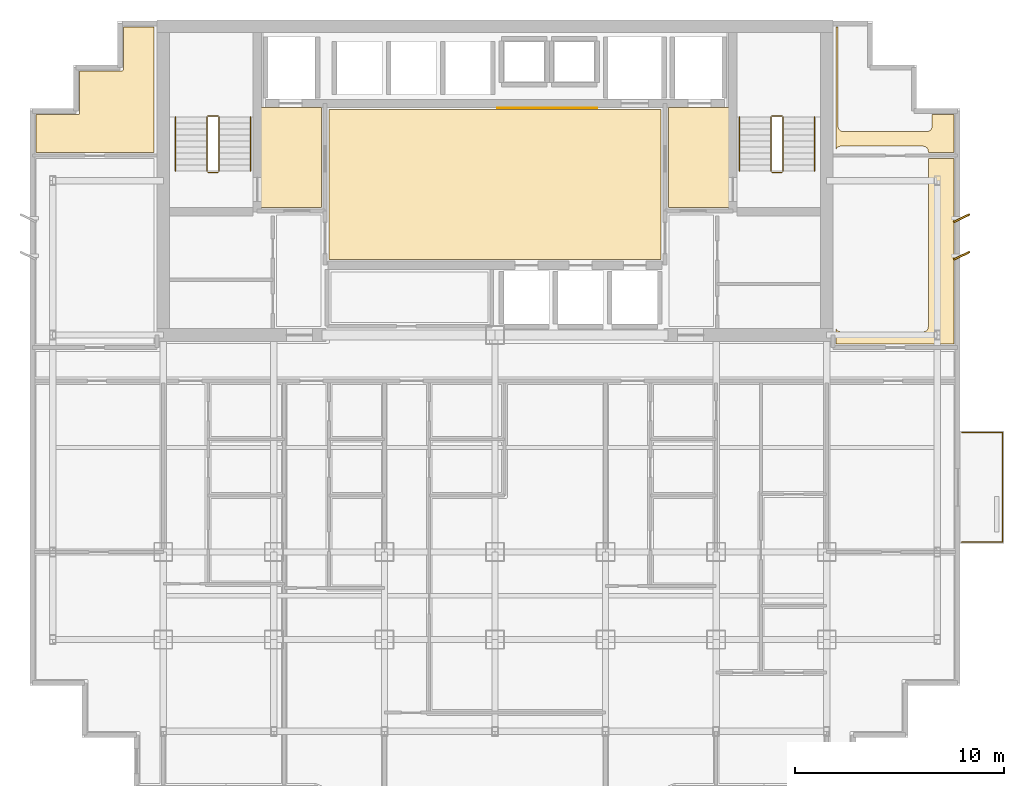
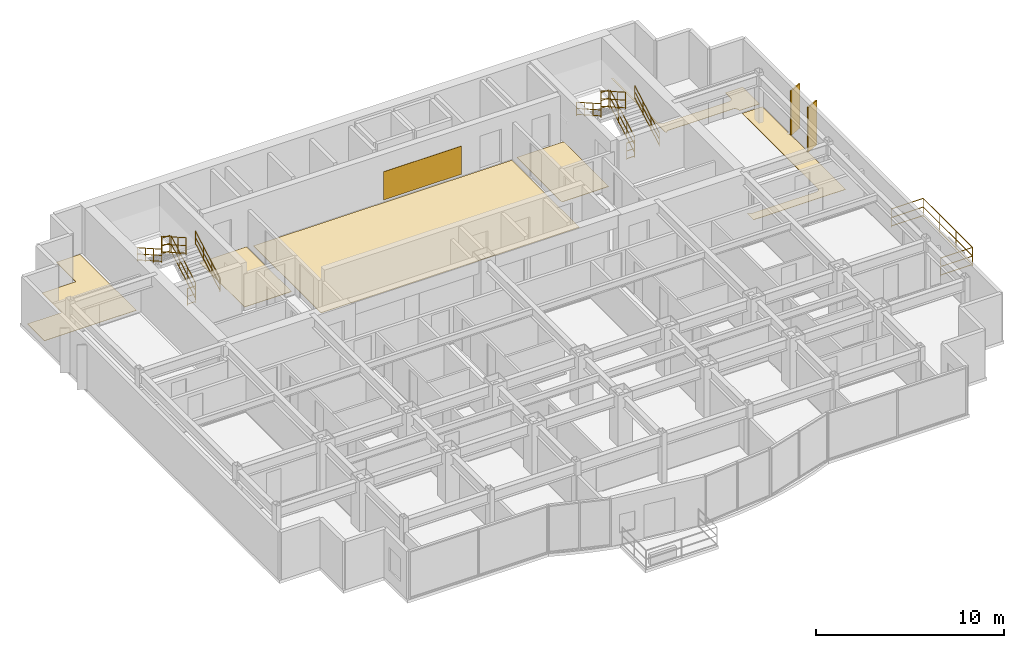
# One storey, part 11 of 11: 13 railings, 7 coverings, 2 shading devices.
"""IFC4 building model written with IfcOpenShell, lengths in metres."""

from ifc_helpers import new_model, si_unit, direction, frame, origin, origin_2d, place, context, subcontext, project, spatial, polyline, rectangle, circle, outline, extrude, source, transform, mapped, material, layer, layer_set, type_object, element, save


model = new_model("IFC4")

# Units and contexts
model_context = context("Model", 3, precision=1e-05, world=origin(), true_north=direction((0.0, 1.0)))
body_context = subcontext(model_context, "Body", "Model", "MODEL_VIEW")
ifc_project = project(units=[si_unit("LENGTHUNIT", "METRE"), si_unit("AREAUNIT", "SQUARE_METRE"), si_unit("VOLUMEUNIT", "CUBIC_METRE"), si_unit("PLANEANGLEUNIT", "RADIAN"), si_unit("MASSUNIT", "GRAM", prefix="KILO")], contexts=[model_context])

# Site, building, storey
site_placement = place(None, origin())
site = spatial("IfcSite", under=ifc_project, at=site_placement, CompositionType="ELEMENT")
building_placement = place(site_placement, origin())
building = spatial("IfcBuilding", under=site, at=building_placement, Name="Qianlan Lanfeng Residences", CompositionType="ELEMENT")
storey_placement = place(building_placement, frame((0.0, 0.0, 145.800048828125)))
storey = spatial("IfcBuildingStorey", under=building, at=storey_placement, Name="L39", CompositionType="ELEMENT", Elevation=145.800048828125)

# Coverings
ifc_material_1 = material(Name="Anodised Bronze Feature Wall Cladding")
ifc_layer_1 = layer(ifc_material_1, 0.02490234375)
ifc_layer_set_1 = layer_set([ifc_layer_1], Name="Anodised Bronze Feature Wall Cladding")
covering_type_1 = type_object("IfcCoveringType", Name="CLD-BRZ-25", PredefinedType="CLADDING", material=ifc_layer_set_1)
covering_1_placement = place(storey_placement, frame((0.0, 0.0, 0.14990234375)))
element("IfcCovering", 1, at=covering_1_placement, inside=storey, type_object=covering_type_1, Name="L39 Lift Lobby Bronze Feature Cladding", PredefinedType="CLADDING", context=body_context, shape_type="SweptSolid", body=[
    extrude(outline(polyline([(26.60009765625, 36.074951171875), (31.39990234375, 36.074951171875), (31.39990234375, 36.10009765625), (26.60009765625, 36.10009765625), (26.60009765625, 36.074951171875)])), origin(), (0.0, 0.0, 1.0), 1.830078125),
])
ifc_material_2 = material(Name="Honed Taitung Granite Stone Flooring", Category="masonry")
ifc_layer_2 = layer(ifc_material_2, 0.030029296875)
ifc_layer_set_2 = layer_set([ifc_layer_2], Name="Honed Taitung Granite Stone Flooring")
covering_type_2 = type_object("IfcCoveringType", Name="FLR-STN-30", PredefinedType="FLOORING", material=ifc_layer_set_2)
covering_2_placement = place(storey_placement, origin())
element("IfcCovering", 2, at=covering_2_placement, inside=storey, type_object=covering_type_2, Name="L39 Firefighting Lift Lobby Floor Finish", PredefinedType="FLOORING", context=body_context, shape_type="SweptSolid", body=[
    extrude(outline(polyline([(15.2900390625, 31.320068359375), (18.179931640625, 31.320068359375), (18.179931640625, 36.110107421875), (15.2900390625, 36.110107421875), (15.2900390625, 31.320068359375)])), origin(), (0.0, 0.0, 1.0), 0.030029296875),
])
covering_3_placement = place(storey_placement, origin())
element("IfcCovering", 3, at=covering_3_placement, inside=storey, type_object=covering_type_2, Name="L39 Firefighting Lift Lobby Floor Finish", PredefinedType="FLOORING", context=body_context, shape_type="SweptSolid", body=[
    extrude(outline(polyline([(34.820068359375, 31.320068359375), (37.7099609375, 31.320068359375), (37.7099609375, 36.110107421875), (34.820068359375, 36.110107421875), (34.820068359375, 31.320068359375)])), origin(), (0.0, 0.0, 1.0), 0.030029296875),
])
covering_4_placement = place(storey_placement, origin())
element("IfcCovering", 4, at=covering_4_placement, inside=storey, type_object=covering_type_2, Name="L39 Lift Lobby Floor Finish", PredefinedType="FLOORING", context=body_context, shape_type="SweptSolid", body=[
    extrude(outline(polyline([(18.550048828125, 28.820068359375), (34.449951171875, 28.820068359375), (34.449951171875, 36.010009765625), (18.550048828125, 36.010009765625), (18.550048828125, 28.820068359375)])), origin(), (0.0, 0.0, 1.0), 0.030029296875),
])
ifc_material_3 = material(Name="Engineered Smoked Oak Timber Flooring", Category="wood")
ifc_layer_3 = layer(ifc_material_3, 0.02197265625)
ifc_layer_set_3 = layer_set([ifc_layer_3], Name="Engineered Smoked Oak Timber Flooring")
covering_type_3 = type_object("IfcCoveringType", Name="FLR-TIM-22", PredefinedType="FLOORING", material=ifc_layer_set_3)
covering_5_placement = place(storey_placement, origin())
element("IfcCovering", 5, at=covering_5_placement, inside=storey, type_object=covering_type_3, Name="L39 Resident Lounge Floor Finish", PredefinedType="FLOORING", context=body_context, shape_type="SweptSolid", body=[
    extrude(outline(polyline([(4.489990234375, 33.949951171875), (10.14990234375, 33.949951171875), (10.14990234375, 39.9599609375), (8.68994140625, 39.9599609375), (8.68994140625, 37.929931640625), (8.68994140625, 37.923095703125), (8.68896484375, 37.916015625), (8.68701171875, 37.909912109375), (8.68505859375, 37.903076171875), (8.681884765625, 37.89697265625), (8.677978515625, 37.89111328125), (8.674072265625, 37.885986328125), (8.6689453125, 37.881103515625), (8.6640625, 37.8759765625), (8.658935546875, 37.8720703125), (8.653076171875, 37.867919921875), (8.64697265625, 37.864990234375), (8.639892578125, 37.863037109375), (8.634033203125, 37.861083984375), (8.626953125, 37.860107421875), (8.6201171875, 37.860107421875), (6.590087890625, 37.860107421875), (6.590087890625, 35.830078125), (6.590087890625, 35.822998046875), (6.589111328125, 35.81591796875), (6.5869140625, 35.81005859375), (6.5849609375, 35.802978515625), (6.58203125, 35.797119140625), (6.577880859375, 35.791015625), (6.573974609375, 35.785888671875), (6.569091796875, 35.781005859375), (6.56396484375, 35.77587890625), (6.55908203125, 35.77197265625), (6.552978515625, 35.76806640625), (6.547119140625, 35.764892578125), (6.5400390625, 35.762939453125), (6.533935546875, 35.760986328125), (6.527099609375, 35.760009765625), (6.52001953125, 35.760009765625), (4.489990234375, 35.760009765625), (4.489990234375, 33.949951171875)])), origin(), (0.0, 0.0, 1.0), 0.02197265625),
])
covering_6_placement = place(storey_placement, origin())
element("IfcCovering", 6, at=covering_6_placement, inside=storey, type_object=covering_type_3, Name="L39 Sky Lounge Floor Finish", PredefinedType="FLOORING", context=body_context, shape_type="SweptSolid", body=[
    extrude(outline(polyline([(48.510009765625, 33.64990234375), (47.27001953125, 33.64990234375), (47.27001953125, 25.60009765625), (47.26904296875, 25.574951171875), (47.264892578125, 25.551025390625), (47.259033203125, 25.527099609375), (47.2509765625, 25.50390625), (47.239990234375, 25.48193359375), (47.22802734375, 25.4609375), (47.212890625, 25.44091796875), (47.197021484375, 25.423095703125), (47.178955078125, 25.406982421875), (47.158935546875, 25.39208984375), (47.137939453125, 25.3798828125), (47.115966796875, 25.368896484375), (47.093017578125, 25.361083984375), (47.069091796875, 25.35498046875), (47.044921875, 25.35107421875), (47.02001953125, 25.35009765625), (43.080078125, 25.35009765625), (43.054931640625, 25.35107421875), (43.031005859375, 25.35498046875), (43.007080078125, 25.361083984375), (42.98388671875, 25.368896484375), (42.9619140625, 25.3798828125), (42.94091796875, 25.39208984375), (42.9208984375, 25.406982421875), (42.903076171875, 25.423095703125), (42.886962890625, 25.44091796875), (42.8720703125, 25.4609375), (42.860107421875, 25.48193359375), (42.85009765625, 25.501953125), (42.85009765625, 24.780029296875), (48.510009765625, 24.780029296875), (48.510009765625, 33.64990234375)])), origin(), (0.0, 0.0, 1.0), 0.02197265625),
])
covering_7_placement = place(storey_placement, origin())
element("IfcCovering", 7, at=covering_7_placement, inside=storey, type_object=covering_type_3, Name="L39 Resident Lounge Floor Finish", PredefinedType="FLOORING", context=body_context, shape_type="SweptSolid", body=[
    extrude(outline(polyline([(42.85009765625, 34.097900390625), (42.860107421875, 34.117919921875), (42.8720703125, 34.138916015625), (42.886962890625, 34.158935546875), (42.903076171875, 34.177001953125), (42.9208984375, 34.193115234375), (42.94091796875, 34.2080078125), (42.9619140625, 34.219970703125), (42.98388671875, 34.23095703125), (43.007080078125, 34.239013671875), (43.031005859375, 34.2451171875), (43.054931640625, 34.2490234375), (43.080078125, 34.25), (47.02001953125, 34.25), (47.044921875, 34.2490234375), (47.069091796875, 34.2451171875), (47.093017578125, 34.239013671875), (47.115966796875, 34.23095703125), (47.137939453125, 34.219970703125), (47.158935546875, 34.2080078125), (47.178955078125, 34.193115234375), (47.197021484375, 34.177001953125), (47.212890625, 34.158935546875), (47.22802734375, 34.138916015625), (47.239990234375, 34.117919921875), (47.2509765625, 34.095947265625), (47.259033203125, 34.072998046875), (47.264892578125, 34.049072265625), (47.26904296875, 34.02490234375), (47.27001953125, 34.0), (47.27001953125, 33.949951171875), (48.510009765625, 33.949951171875), (48.510009765625, 35.760009765625), (47.449951171875, 35.760009765625), (47.449951171875, 35.199951171875), (47.448974609375, 35.175048828125), (47.445068359375, 35.15087890625), (47.43896484375, 35.126953125), (47.430908203125, 35.10400390625), (47.419921875, 35.08203125), (47.407958984375, 35.06103515625), (47.39306640625, 35.041015625), (47.376953125, 35.02294921875), (47.35888671875, 35.007080078125), (47.339111328125, 34.991943359375), (47.318115234375, 34.97998046875), (47.2958984375, 34.968994140625), (47.27294921875, 34.9609375), (47.2490234375, 34.955078125), (47.22509765625, 34.950927734375), (47.199951171875, 34.949951171875), (43.199951171875, 34.949951171875), (43.175048828125, 34.950927734375), (43.15087890625, 34.955078125), (43.126953125, 34.9609375), (43.10400390625, 34.968994140625), (43.08203125, 34.97998046875), (43.06103515625, 34.991943359375), (43.041015625, 35.007080078125), (43.02294921875, 35.02294921875), (43.007080078125, 35.041015625), (42.991943359375, 35.06103515625), (42.97998046875, 35.08203125), (42.968994140625, 35.10400390625), (42.9609375, 35.126953125), (42.955078125, 35.15087890625), (42.950927734375, 35.175048828125), (42.949951171875, 35.199951171875), (42.949951171875, 39.9599609375), (42.85009765625, 39.9599609375), (42.85009765625, 34.097900390625)])), origin(), (0.0, 0.0, 1.0), 0.02197265625),
])

# Railings
ifc_material_4 = material(Name="Anodised Bronze Aluminium and Laminated Glass Guard Balustrade", Category="aluminium")
railing_type_1 = type_object("IfcRailingType", Name="GR-EXT-1220", PredefinedType="BALUSTRADE", material=ifc_material_4)
railing_1_placement = place(storey_placement, frame((48.8701171875, 20.530029296875, 0.0)))
element("IfcRailing", 8, at=railing_1_placement, inside=storey, type_object=railing_type_1, Name="L39 Terrace Safety Guard GR-L39-EB-S", PredefinedType="BALUSTRADE", context=body_context, shape_type="SweptSolid", body=[
    extrude(circle(Radius=0.02490234375, at=origin_2d()), frame((0.0, 0.0, 0.0849609375), z_axis=(1.0, 0.0, 0.0), x_axis=(0.0, 1.0, 0.0)), (0.0, 0.0, 1.0), 1.9599609375),
    extrude(circle(Radius=0.02490234375, at=origin_2d()), frame((0.0, 0.0, 0.63427734375), z_axis=(1.0, 0.0, 0.0), x_axis=(0.0, 1.0, 0.0)), (0.0, 0.0, 1.0), 1.9599609375),
    extrude(circle(Radius=0.02490234375, at=origin_2d()), frame((0.0, 0.0, 1.19482421875), z_axis=(1.0, 0.0, 0.0), x_axis=(0.0, 1.0, 0.0)), (0.0, 0.0, 1.0), 1.9599609375),
    extrude(circle(Radius=0.02490234375, at=origin_2d()), frame((1.9599609375, 0.0, 0.0849609375), z_axis=(0.0, -1.0, 0.0), x_axis=(1.0, 0.0, 0.0)), (0.0, 0.0, 1.0), 5.260009765625),
    extrude(circle(Radius=0.02490234375, at=origin_2d()), frame((1.9599609375, 0.0, 0.63427734375), z_axis=(0.0, -1.0, 0.0), x_axis=(1.0, 0.0, 0.0)), (0.0, 0.0, 1.0), 5.260009765625),
    extrude(circle(Radius=0.02490234375, at=origin_2d()), frame((1.9599609375, 0.0, 1.19482421875), z_axis=(0.0, -1.0, 0.0), x_axis=(1.0, 0.0, 0.0)), (0.0, 0.0, 1.0), 5.260009765625),
    extrude(circle(Radius=0.02490234375, at=origin_2d()), frame((1.9599609375, -5.260009765625, 0.0849609375), z_axis=(-1.0, 0.0, 0.0), x_axis=(0.0, -1.0, 0.0)), (0.0, 0.0, 1.0), 1.9599609375),
    extrude(circle(Radius=0.02490234375, at=origin_2d()), frame((1.9599609375, -5.260009765625, 0.63427734375), z_axis=(-1.0, 0.0, 0.0), x_axis=(0.0, -1.0, 0.0)), (0.0, 0.0, 1.0), 1.9599609375),
    extrude(circle(Radius=0.02490234375, at=origin_2d()), frame((1.9599609375, -5.260009765625, 1.19482421875), z_axis=(-1.0, 0.0, 0.0), x_axis=(0.0, -1.0, 0.0)), (0.0, 0.0, 1.0), 1.9599609375),
    extrude(circle(Radius=0.02099609375, at=origin_2d()), origin(), (0.0, 0.0, 1.0), 1.169921875),
    extrude(circle(Radius=0.02099609375, at=origin_2d()), frame((1.9599609375, 0.0, 0.0)), (0.0, 0.0, 1.0), 1.169921875),
    extrude(circle(Radius=0.02099609375, at=origin_2d()), frame((1.9599609375, -1.75341796875, 0.0)), (0.0, 0.0, 1.0), 1.169921875),
    extrude(circle(Radius=0.02099609375, at=origin_2d()), frame((1.9599609375, -3.506591796875, 0.0)), (0.0, 0.0, 1.0), 1.169921875),
    extrude(circle(Radius=0.02099609375, at=origin_2d()), frame((1.9599609375, -5.260009765625, 0.0)), (0.0, 0.0, 1.0), 1.169921875),
    extrude(circle(Radius=0.02099609375, at=origin_2d()), frame((0.0, -5.260009765625, 0.0)), (0.0, 0.0, 1.0), 1.169921875),
])
ifc_material_5 = material(Name="Painted Galvanised Steel Guardrail", Category="steel")
railing_type_2 = type_object("IfcRailingType", Name="GR-ST-1120", PredefinedType="GUARDRAIL", material=ifc_material_5)
railing_2_placement = place(storey_placement, frame((13.27001953125, 33.050048828125, 0.1650390625)))
element("IfcRailing", 9, at=railing_2_placement, inside=storey, type_object=railing_type_2, Name="L39 ST-1 stair guard 1", PredefinedType="GUARDRAIL", context=body_context, shape_type="SweptSolid", body=[
    extrude(circle(Radius=0.02392578125, at=origin_2d()), frame((0.0, 0.0, 0.083984375), z_axis=(0.0, 0.869172267526, 0.494509422927), x_axis=(-1.0, 0.0, 0.0)), (0.0, 0.0, 1.0), 3.002685546875),
    extrude(circle(Radius=0.02392578125, at=origin_2d()), frame((0.0, 0.0, 0.58251953125), z_axis=(0.0, 0.869172267526, 0.494509422927), x_axis=(-1.0, 0.0, 0.0)), (0.0, 0.0, 1.0), 3.002685546875),
    extrude(circle(Radius=0.02392578125, at=origin_2d()), frame((0.0, 0.0, 1.09619140625), z_axis=(0.0, 0.869172267526, 0.494509422927), x_axis=(-1.0, 0.0, 0.0)), (0.0, 0.0, 1.0), 3.002685546875),
    extrude(circle(Radius=0.02099609375, at=origin_2d()), origin(), (0.0, 0.0, 1.0), 1.072021484375),
    extrude(circle(Radius=0.02099609375, at=origin_2d()), frame((0.0, 0.869873046875, 0.494873046875)), (0.0, 0.0, 1.0), 1.072021484375),
    extrude(circle(Radius=0.02099609375, at=origin_2d()), frame((0.0, 1.739990234375, 0.989990234375)), (0.0, 0.0, 1.0), 1.072021484375),
    extrude(circle(Radius=0.02099609375, at=origin_2d()), frame((0.0, 2.60986328125, 1.48486328125)), (0.0, 0.0, 1.0), 1.072021484375),
])
railing_3_placement = place(storey_placement, frame((13.219970703125, 35.7099609375, 1.64990234375)))
element("IfcRailing", 10, at=railing_3_placement, inside=storey, type_object=railing_type_2, Name="L39 ST-1 stair guard 2", PredefinedType="GUARDRAIL", context=body_context, shape_type="SweptSolid", body=[
    extrude(circle(Radius=0.02392578125, at=origin_2d()), frame((0.0, 0.0, 0.083984375), z_axis=(-1.0, 0.0, 0.0), x_axis=(0.0, -1.0, 0.0)), (0.0, 0.0, 1.0), 0.47998046875),
    extrude(circle(Radius=0.02392578125, at=origin_2d()), frame((0.0, 0.0, 0.58251953125), z_axis=(-1.0, 0.0, 0.0), x_axis=(0.0, -1.0, 0.0)), (0.0, 0.0, 1.0), 0.47998046875),
    extrude(circle(Radius=0.02392578125, at=origin_2d()), frame((0.0, 0.0, 1.09619140625), z_axis=(-1.0, 0.0, 0.0), x_axis=(0.0, -1.0, 0.0)), (0.0, 0.0, 1.0), 0.47998046875),
    extrude(circle(Radius=0.02099609375, at=origin_2d()), origin(), (0.0, 0.0, 1.0), 1.072021484375),
    extrude(circle(Radius=0.02099609375, at=origin_2d()), frame((-0.47998046875, 0.0, 0.0)), (0.0, 0.0, 1.0), 1.072021484375),
])
railing_4_placement = place(storey_placement, frame((12.68994140625, 35.659912109375, 1.81494140625)))
element("IfcRailing", 11, at=railing_4_placement, inside=storey, type_object=railing_type_2, Name="L39 ST-1 stair guard 3", PredefinedType="GUARDRAIL", context=body_context, shape_type="SweptSolid", body=[
    extrude(circle(Radius=0.02392578125, at=origin_2d()), frame((0.0, 0.0, 0.083984375), z_axis=(0.0, -0.869137319866, 0.494570843475), x_axis=(1.0, 0.0, 0.0)), (0.0, 0.0, 1.0), 3.0029296875),
    extrude(circle(Radius=0.02392578125, at=origin_2d()), frame((0.0, 0.0, 0.58251953125), z_axis=(0.0, -0.869137319866, 0.494570843475), x_axis=(1.0, 0.0, 0.0)), (0.0, 0.0, 1.0), 3.0029296875),
    extrude(circle(Radius=0.02392578125, at=origin_2d()), frame((0.0, 0.0, 1.09619140625), z_axis=(0.0, -0.869137319866, 0.494570843475), x_axis=(1.0, 0.0, 0.0)), (0.0, 0.0, 1.0), 3.0029296875),
    extrude(circle(Radius=0.02099609375, at=origin_2d()), origin(), (0.0, 0.0, 1.0), 1.072021484375),
    extrude(circle(Radius=0.02099609375, at=origin_2d()), frame((0.0, -0.869873046875, 0.4951171875)), (0.0, 0.0, 1.0), 1.072021484375),
    extrude(circle(Radius=0.02099609375, at=origin_2d()), frame((0.0, -1.739990234375, 0.989990234375)), (0.0, 0.0, 1.0), 1.072021484375),
    extrude(circle(Radius=0.02099609375, at=origin_2d()), frame((0.0, -2.60986328125, 1.485107421875)), (0.0, 0.0, 1.0), 1.072021484375),
])
railing_5_placement = place(storey_placement, frame((13.219970703125, 33.0, 0.0)))
element("IfcRailing", 12, at=railing_5_placement, inside=storey, type_object=railing_type_2, Name="L39 ST-1 stair guard 4", PredefinedType="GUARDRAIL", context=body_context, shape_type="SweptSolid", body=[
    extrude(circle(Radius=0.02392578125, at=origin_2d()), frame((0.0, 0.0, 0.083984375), z_axis=(-1.0, 0.0, 0.0), x_axis=(0.0, -1.0, 0.0)), (0.0, 0.0, 1.0), 0.47998046875),
    extrude(circle(Radius=0.02392578125, at=origin_2d()), frame((0.0, 0.0, 0.58251953125), z_axis=(-1.0, 0.0, 0.0), x_axis=(0.0, -1.0, 0.0)), (0.0, 0.0, 1.0), 0.47998046875),
    extrude(circle(Radius=0.02392578125, at=origin_2d()), frame((0.0, 0.0, 1.09619140625), z_axis=(-1.0, 0.0, 0.0), x_axis=(0.0, -1.0, 0.0)), (0.0, 0.0, 1.0), 0.47998046875),
    extrude(circle(Radius=0.02099609375, at=origin_2d()), origin(), (0.0, 0.0, 1.0), 1.072021484375),
    extrude(circle(Radius=0.02099609375, at=origin_2d()), frame((-0.47998046875, 0.0, 0.0)), (0.0, 0.0, 1.0), 1.072021484375),
])
railing_6_placement = place(storey_placement, frame((40.31005859375, 33.050048828125, 0.1650390625)))
element("IfcRailing", 13, at=railing_6_placement, inside=storey, type_object=railing_type_2, Name="L39 ST-2 stair guard 1", PredefinedType="GUARDRAIL", context=body_context, shape_type="SweptSolid", body=[
    extrude(circle(Radius=0.02392578125, at=origin_2d()), frame((0.0, 0.0, 0.083984375), z_axis=(0.0, 0.869172267526, 0.494509422927), x_axis=(-1.0, 0.0, 0.0)), (0.0, 0.0, 1.0), 3.002685546875),
    extrude(circle(Radius=0.02392578125, at=origin_2d()), frame((0.0, 0.0, 0.58251953125), z_axis=(0.0, 0.869172267526, 0.494509422927), x_axis=(-1.0, 0.0, 0.0)), (0.0, 0.0, 1.0), 3.002685546875),
    extrude(circle(Radius=0.02392578125, at=origin_2d()), frame((0.0, 0.0, 1.09619140625), z_axis=(0.0, 0.869172267526, 0.494509422927), x_axis=(-1.0, 0.0, 0.0)), (0.0, 0.0, 1.0), 3.002685546875),
    extrude(circle(Radius=0.02099609375, at=origin_2d()), origin(), (0.0, 0.0, 1.0), 1.072021484375),
    extrude(circle(Radius=0.02099609375, at=origin_2d()), frame((0.0, 0.869873046875, 0.494873046875)), (0.0, 0.0, 1.0), 1.072021484375),
    extrude(circle(Radius=0.02099609375, at=origin_2d()), frame((0.0, 1.739990234375, 0.989990234375)), (0.0, 0.0, 1.0), 1.072021484375),
    extrude(circle(Radius=0.02099609375, at=origin_2d()), frame((0.0, 2.60986328125, 1.48486328125)), (0.0, 0.0, 1.0), 1.072021484375),
])
railing_7_placement = place(storey_placement, frame((40.260009765625, 35.7099609375, 1.64990234375)))
element("IfcRailing", 14, at=railing_7_placement, inside=storey, type_object=railing_type_2, Name="L39 ST-2 stair guard 2", PredefinedType="GUARDRAIL", context=body_context, shape_type="SweptSolid", body=[
    extrude(circle(Radius=0.02392578125, at=origin_2d()), frame((0.0, 0.0, 0.083984375), z_axis=(-1.0, 0.0, 0.0), x_axis=(0.0, -1.0, 0.0)), (0.0, 0.0, 1.0), 0.47998046875),
    extrude(circle(Radius=0.02392578125, at=origin_2d()), frame((0.0, 0.0, 0.58251953125), z_axis=(-1.0, 0.0, 0.0), x_axis=(0.0, -1.0, 0.0)), (0.0, 0.0, 1.0), 0.47998046875),
    extrude(circle(Radius=0.02392578125, at=origin_2d()), frame((0.0, 0.0, 1.09619140625), z_axis=(-1.0, 0.0, 0.0), x_axis=(0.0, -1.0, 0.0)), (0.0, 0.0, 1.0), 0.47998046875),
    extrude(circle(Radius=0.02099609375, at=origin_2d()), origin(), (0.0, 0.0, 1.0), 1.072021484375),
    extrude(circle(Radius=0.02099609375, at=origin_2d()), frame((-0.47998046875, 0.0, 0.0)), (0.0, 0.0, 1.0), 1.072021484375),
])
railing_8_placement = place(storey_placement, frame((39.72998046875, 35.659912109375, 1.81494140625)))
element("IfcRailing", 15, at=railing_8_placement, inside=storey, type_object=railing_type_2, Name="L39 ST-2 stair guard 3", PredefinedType="GUARDRAIL", context=body_context, shape_type="SweptSolid", body=[
    extrude(circle(Radius=0.02392578125, at=origin_2d()), frame((0.0, 0.0, 0.083984375), z_axis=(0.0, -0.869137319866, 0.494570843475), x_axis=(1.0, 0.0, 0.0)), (0.0, 0.0, 1.0), 3.0029296875),
    extrude(circle(Radius=0.02392578125, at=origin_2d()), frame((0.0, 0.0, 0.58251953125), z_axis=(0.0, -0.869137319866, 0.494570843475), x_axis=(1.0, 0.0, 0.0)), (0.0, 0.0, 1.0), 3.0029296875),
    extrude(circle(Radius=0.02392578125, at=origin_2d()), frame((0.0, 0.0, 1.09619140625), z_axis=(0.0, -0.869137319866, 0.494570843475), x_axis=(1.0, 0.0, 0.0)), (0.0, 0.0, 1.0), 3.0029296875),
    extrude(circle(Radius=0.02099609375, at=origin_2d()), origin(), (0.0, 0.0, 1.0), 1.072021484375),
    extrude(circle(Radius=0.02099609375, at=origin_2d()), frame((0.0, -0.869873046875, 0.4951171875)), (0.0, 0.0, 1.0), 1.072021484375),
    extrude(circle(Radius=0.02099609375, at=origin_2d()), frame((0.0, -1.739990234375, 0.989990234375)), (0.0, 0.0, 1.0), 1.072021484375),
    extrude(circle(Radius=0.02099609375, at=origin_2d()), frame((0.0, -2.60986328125, 1.485107421875)), (0.0, 0.0, 1.0), 1.072021484375),
])
railing_9_placement = place(storey_placement, frame((40.260009765625, 33.0, 0.0)))
element("IfcRailing", 16, at=railing_9_placement, inside=storey, type_object=railing_type_2, Name="L39 ST-2 stair guard 4", PredefinedType="GUARDRAIL", context=body_context, shape_type="SweptSolid", body=[
    extrude(circle(Radius=0.02392578125, at=origin_2d()), frame((0.0, 0.0, 0.083984375), z_axis=(-1.0, 0.0, 0.0), x_axis=(0.0, -1.0, 0.0)), (0.0, 0.0, 1.0), 0.47998046875),
    extrude(circle(Radius=0.02392578125, at=origin_2d()), frame((0.0, 0.0, 0.58251953125), z_axis=(-1.0, 0.0, 0.0), x_axis=(0.0, -1.0, 0.0)), (0.0, 0.0, 1.0), 0.47998046875),
    extrude(circle(Radius=0.02392578125, at=origin_2d()), frame((0.0, 0.0, 1.09619140625), z_axis=(-1.0, 0.0, 0.0), x_axis=(0.0, -1.0, 0.0)), (0.0, 0.0, 1.0), 0.47998046875),
    extrude(circle(Radius=0.02099609375, at=origin_2d()), origin(), (0.0, 0.0, 1.0), 1.072021484375),
    extrude(circle(Radius=0.02099609375, at=origin_2d()), frame((-0.47998046875, 0.0, 0.0)), (0.0, 0.0, 1.0), 1.072021484375),
])
ifc_material_6 = material(Name="Brushed Stainless Steel Handrail", Category="steel")
railing_type_3 = type_object("IfcRailingType", Name="HR-ST-920", PredefinedType="HANDRAIL", material=ifc_material_6)
railing_10_placement = place(storey_placement, frame((14.77001953125, 33.050048828125, 0.1650390625)))
element("IfcRailing", 17, at=railing_10_placement, inside=storey, type_object=railing_type_3, Name="L39 ST-1 stair handrail 1", PredefinedType="HANDRAIL", context=body_context, shape_type="SweptSolid", body=[
    extrude(circle(Radius=0.02392578125, at=origin_2d()), frame((0.0, 0.0, 0.083984375), z_axis=(0.0, 0.869172267526, 0.494509422927), x_axis=(-1.0, 0.0, 0.0)), (0.0, 0.0, 1.0), 3.002685546875),
    extrude(circle(Radius=0.02392578125, at=origin_2d()), frame((0.0, 0.0, 0.468017578125), z_axis=(0.0, 0.869172267526, 0.494509422927), x_axis=(-1.0, 0.0, 0.0)), (0.0, 0.0, 1.0), 3.002685546875),
    extrude(circle(Radius=0.02392578125, at=origin_2d()), frame((0.0, 0.0, 0.8759765625), z_axis=(0.0, 0.869172267526, 0.494509422927), x_axis=(-1.0, 0.0, 0.0)), (0.0, 0.0, 1.0), 3.002685546875),
    extrude(circle(Radius=0.02099609375, at=origin_2d()), origin(), (0.0, 0.0, 1.0), 0.851806640625),
    extrude(circle(Radius=0.02099609375, at=origin_2d()), frame((0.0, 0.869873046875, 0.494873046875)), (0.0, 0.0, 1.0), 0.851806640625),
    extrude(circle(Radius=0.02099609375, at=origin_2d()), frame((0.0, 1.739990234375, 0.989990234375)), (0.0, 0.0, 1.0), 0.851806640625),
    extrude(circle(Radius=0.02099609375, at=origin_2d()), frame((0.0, 2.60986328125, 1.48486328125)), (0.0, 0.0, 1.0), 0.851806640625),
])
railing_11_placement = place(storey_placement, frame((11.18994140625, 35.659912109375, 1.81494140625)))
element("IfcRailing", 18, at=railing_11_placement, inside=storey, type_object=railing_type_3, Name="L39 ST-1 stair handrail 2", PredefinedType="HANDRAIL", context=body_context, shape_type="SweptSolid", body=[
    extrude(circle(Radius=0.02392578125, at=origin_2d()), frame((0.0, 0.0, 0.083984375), z_axis=(0.0, -0.869137319866, 0.494570843475), x_axis=(1.0, 0.0, 0.0)), (0.0, 0.0, 1.0), 3.0029296875),
    extrude(circle(Radius=0.02392578125, at=origin_2d()), frame((0.0, 0.0, 0.468017578125), z_axis=(0.0, -0.869137319866, 0.494570843475), x_axis=(1.0, 0.0, 0.0)), (0.0, 0.0, 1.0), 3.0029296875),
    extrude(circle(Radius=0.02392578125, at=origin_2d()), frame((0.0, 0.0, 0.8759765625), z_axis=(0.0, -0.869137319866, 0.494570843475), x_axis=(1.0, 0.0, 0.0)), (0.0, 0.0, 1.0), 3.0029296875),
    extrude(circle(Radius=0.02099609375, at=origin_2d()), origin(), (0.0, 0.0, 1.0), 0.851806640625),
    extrude(circle(Radius=0.02099609375, at=origin_2d()), frame((0.0, -0.869873046875, 0.4951171875)), (0.0, 0.0, 1.0), 0.851806640625),
    extrude(circle(Radius=0.02099609375, at=origin_2d()), frame((0.0, -1.739990234375, 0.989990234375)), (0.0, 0.0, 1.0), 0.851806640625),
    extrude(circle(Radius=0.02099609375, at=origin_2d()), frame((0.0, -2.60986328125, 1.485107421875)), (0.0, 0.0, 1.0), 0.851806640625),
])
railing_12_placement = place(storey_placement, frame((41.81005859375, 33.050048828125, 0.1650390625)))
element("IfcRailing", 19, at=railing_12_placement, inside=storey, type_object=railing_type_3, Name="L39 ST-2 stair handrail 1", PredefinedType="HANDRAIL", context=body_context, shape_type="SweptSolid", body=[
    extrude(circle(Radius=0.02392578125, at=origin_2d()), frame((0.0, 0.0, 0.083984375), z_axis=(0.0, 0.869172267526, 0.494509422927), x_axis=(-1.0, 0.0, 0.0)), (0.0, 0.0, 1.0), 3.002685546875),
    extrude(circle(Radius=0.02392578125, at=origin_2d()), frame((0.0, 0.0, 0.468017578125), z_axis=(0.0, 0.869172267526, 0.494509422927), x_axis=(-1.0, 0.0, 0.0)), (0.0, 0.0, 1.0), 3.002685546875),
    extrude(circle(Radius=0.02392578125, at=origin_2d()), frame((0.0, 0.0, 0.8759765625), z_axis=(0.0, 0.869172267526, 0.494509422927), x_axis=(-1.0, 0.0, 0.0)), (0.0, 0.0, 1.0), 3.002685546875),
    extrude(circle(Radius=0.02099609375, at=origin_2d()), origin(), (0.0, 0.0, 1.0), 0.851806640625),
    extrude(circle(Radius=0.02099609375, at=origin_2d()), frame((0.0, 0.869873046875, 0.494873046875)), (0.0, 0.0, 1.0), 0.851806640625),
    extrude(circle(Radius=0.02099609375, at=origin_2d()), frame((0.0, 1.739990234375, 0.989990234375)), (0.0, 0.0, 1.0), 0.851806640625),
    extrude(circle(Radius=0.02099609375, at=origin_2d()), frame((0.0, 2.60986328125, 1.48486328125)), (0.0, 0.0, 1.0), 0.851806640625),
])
railing_13_placement = place(storey_placement, frame((38.22998046875, 35.659912109375, 1.81494140625)))
element("IfcRailing", 20, at=railing_13_placement, inside=storey, type_object=railing_type_3, Name="L39 ST-2 stair handrail 2", PredefinedType="HANDRAIL", context=body_context, shape_type="SweptSolid", body=[
    extrude(circle(Radius=0.02392578125, at=origin_2d()), frame((0.0, 0.0, 0.083984375), z_axis=(0.0, -0.869137319866, 0.494570843475), x_axis=(1.0, 0.0, 0.0)), (0.0, 0.0, 1.0), 3.0029296875),
    extrude(circle(Radius=0.02392578125, at=origin_2d()), frame((0.0, 0.0, 0.468017578125), z_axis=(0.0, -0.869137319866, 0.494570843475), x_axis=(1.0, 0.0, 0.0)), (0.0, 0.0, 1.0), 3.0029296875),
    extrude(circle(Radius=0.02392578125, at=origin_2d()), frame((0.0, 0.0, 0.8759765625), z_axis=(0.0, -0.869137319866, 0.494570843475), x_axis=(1.0, 0.0, 0.0)), (0.0, 0.0, 1.0), 3.0029296875),
    extrude(circle(Radius=0.02099609375, at=origin_2d()), origin(), (0.0, 0.0, 1.0), 0.851806640625),
    extrude(circle(Radius=0.02099609375, at=origin_2d()), frame((0.0, -0.869873046875, 0.4951171875)), (0.0, 0.0, 1.0), 0.851806640625),
    extrude(circle(Radius=0.02099609375, at=origin_2d()), frame((0.0, -1.739990234375, 0.989990234375)), (0.0, 0.0, 1.0), 0.851806640625),
    extrude(circle(Radius=0.02099609375, at=origin_2d()), frame((0.0, -2.60986328125, 1.485107421875)), (0.0, 0.0, 1.0), 0.851806640625),
])

# Shading devices
ifc_material_7 = material(Name="Anodised Bronze Aluminium Solar Fin", Category="aluminium")
shading_device_type = type_object("IfcShadingDeviceType", Name="FIN-BRZ-850", PredefinedType="SHUTTER", material=ifc_material_7)
shared_shape = source(origin(), body_context, "Body", "SweptSolid", [
    extrude(rectangle(XDim=0.85009765625, YDim=0.080078125, at=origin_2d()), origin(), (0.0, 0.0, 1.0), 2.89990234375),
])
for number, where, z_axis, x_axis, name in (
    (21, (48.8701171875, 29.0, 0.0), (0.0, 0.0, 1.0), (0.898794046299, 0.438371146789, 0.0), "L39 Raked Bronze Solar Fin E1"),
    (22, (48.8701171875, 30.800048828125, 0.0), (0.0, 0.0, 1.0), (0.898794046299, 0.438371146789, 0.0), "L39 Raked Bronze Solar Fin E2"),
):
    element("IfcShadingDevice", number, at=place(storey_placement, frame(where, z_axis=z_axis, x_axis=x_axis)), inside=storey, type_object=shading_device_type, Name=name, PredefinedType="SHUTTER", context=body_context, shape_type="MappedRepresentation", body=[
        mapped(shared_shape, transform((0.0, 0.0, 0.0), scale=1.0)),
    ])

save(model, "model.ifc")
